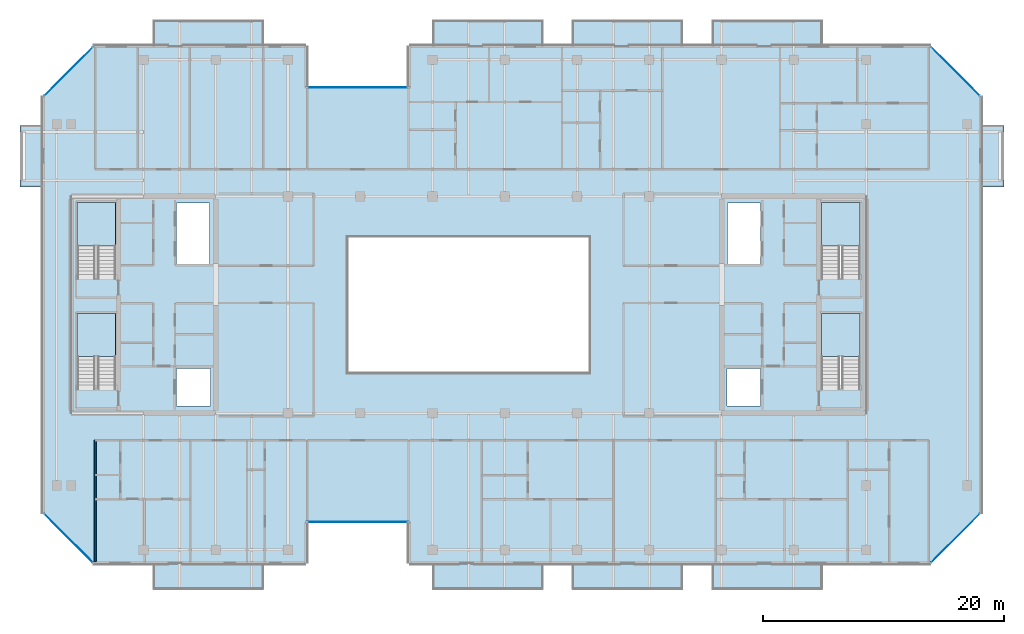
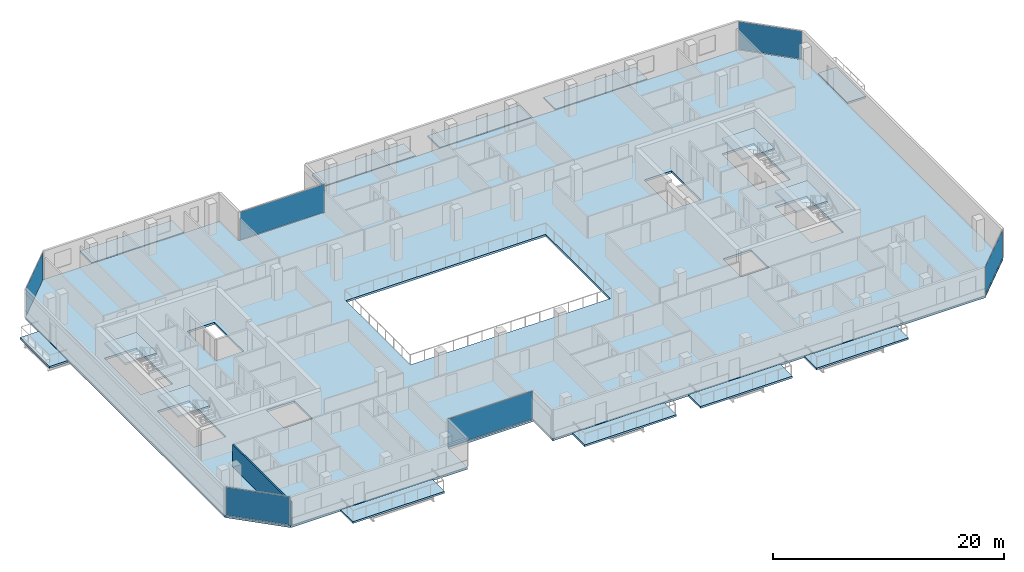
# One storey, part 17 of 28: 15 slabs, 6 plates, 1 wall, 10 elements without a shape of their own.
"""IFC4 building model written with IfcOpenShell, lengths in metres."""

from ifc_helpers import new_model, si_unit, direction, frame, frame_2d, origin, origin_2d, place, context, subcontext, project, spatial, polyline, rectangle, outline, extrude, material, layer, layer_set, type_object, element, aggregate, save


model = new_model("IFC4")

# Units and contexts
model_context = context("Model", 3, precision=1e-05, world=origin(), true_north=direction((0.0, 1.0)))
body_context = subcontext(model_context, "Body", "Model", "MODEL_VIEW")
ifc_project = project(units=[si_unit("LENGTHUNIT", "METRE"), si_unit("AREAUNIT", "SQUARE_METRE"), si_unit("VOLUMEUNIT", "CUBIC_METRE"), si_unit("PLANEANGLEUNIT", "RADIAN"), si_unit("MASSUNIT", "GRAM", prefix="KILO")], contexts=[model_context])

# Site, building, storey
site_placement = place(None, origin())
site = spatial("IfcSite", under=ifc_project, at=site_placement, CompositionType="ELEMENT")
building_placement = place(site_placement, origin())
building = spatial("IfcBuilding", under=site, at=building_placement, Name="Tanjung Sevakor Pilgrim Tower", CompositionType="ELEMENT")
storey_placement = place(building_placement, frame((0.0, 0.0, 185.1298828125)))
storey = spatial("IfcBuildingStorey", under=building, at=storey_placement, Name="L51", CompositionType="ELEMENT", Elevation=185.1298828125)

# Slabs
ifc_material_1 = material(Name="Concrete C40/50", Category="concrete")
ifc_layer_1 = layer(ifc_material_1, 0.199951171875)
ifc_layer_set_1 = layer_set([ifc_layer_1], Name="SL-BAL-200")
slab_type_1 = type_object("IfcSlabType", Name="SL-BAL-200", PredefinedType="FLOOR", material=ifc_layer_set_1)
slab_1_placement = place(storey_placement, frame((0.0, 0.0, -0.199951171875)))
element("IfcSlab", 1, at=slab_1_placement, inside=storey, type_object=slab_type_1, Name="L51 Planted Loggia Balcony MAIN-S1", PredefinedType="FLOOR", context=body_context, shape_type="SweptSolid", body=[
    extrude(outline(polyline([(30.800048828125, 9.949951171875), (40.0, 9.949951171875), (40.0, 12.050048828125), (30.800048828125, 12.050048828125), (30.800048828125, 9.949951171875)])), origin(), (0.0, 0.0, 1.0), 0.199951171875),
])
slab_2_placement = place(storey_placement, frame((0.0, 0.0, -0.199951171875)))
element("IfcSlab", 2, at=slab_2_placement, inside=storey, type_object=slab_type_1, Name="L51 Planted Loggia Balcony MAIN-N1", PredefinedType="FLOOR", context=body_context, shape_type="SweptSolid", body=[
    extrude(outline(polyline([(30.800048828125, 55.14990234375), (40.0, 55.14990234375), (40.0, 57.25), (30.800048828125, 57.25), (30.800048828125, 55.14990234375)])), origin(), (0.0, 0.0, 1.0), 0.199951171875),
])
slab_3_placement = place(storey_placement, frame((0.0, 0.0, -0.199951171875)))
element("IfcSlab", 3, at=slab_3_placement, inside=storey, type_object=slab_type_1, Name="L51 Planted Loggia Balcony MAIN-S2", PredefinedType="FLOOR", context=body_context, shape_type="SweptSolid", body=[
    extrude(outline(polyline([(54.0, 9.949951171875), (63.199951171875, 9.949951171875), (63.199951171875, 12.050048828125), (54.0, 12.050048828125), (54.0, 9.949951171875)])), origin(), (0.0, 0.0, 1.0), 0.199951171875),
])
slab_4_placement = place(storey_placement, frame((0.0, 0.0, -0.199951171875)))
element("IfcSlab", 4, at=slab_4_placement, inside=storey, type_object=slab_type_1, Name="L51 Planted Loggia Balcony MAIN-N2", PredefinedType="FLOOR", context=body_context, shape_type="SweptSolid", body=[
    extrude(outline(polyline([(54.0, 55.14990234375), (63.199951171875, 55.14990234375), (63.199951171875, 57.25), (54.0, 57.25), (54.0, 55.14990234375)])), origin(), (0.0, 0.0, 1.0), 0.199951171875),
])
slab_5_placement = place(storey_placement, frame((0.0, 0.0, -0.199951171875)))
element("IfcSlab", 5, at=slab_5_placement, inside=storey, type_object=slab_type_1, Name="L51 Planted Loggia Balcony MAIN-S3", PredefinedType="FLOOR", context=body_context, shape_type="SweptSolid", body=[
    extrude(outline(polyline([(65.60009765625, 9.949951171875), (74.800048828125, 9.949951171875), (74.800048828125, 12.050048828125), (65.60009765625, 12.050048828125), (65.60009765625, 9.949951171875)])), origin(), (0.0, 0.0, 1.0), 0.199951171875),
])
slab_6_placement = place(storey_placement, frame((0.0, 0.0, -0.199951171875)))
element("IfcSlab", 6, at=slab_6_placement, inside=storey, type_object=slab_type_1, Name="L51 Planted Loggia Balcony MAIN-N3", PredefinedType="FLOOR", context=body_context, shape_type="SweptSolid", body=[
    extrude(outline(polyline([(65.60009765625, 55.14990234375), (74.800048828125, 55.14990234375), (74.800048828125, 57.25), (65.60009765625, 57.25), (65.60009765625, 55.14990234375)])), origin(), (0.0, 0.0, 1.0), 0.199951171875),
])
slab_7_placement = place(storey_placement, frame((0.0, 0.0, -0.199951171875)))
element("IfcSlab", 7, at=slab_7_placement, inside=storey, type_object=slab_type_1, Name="L51 Planted Loggia Balcony MAIN-S4", PredefinedType="FLOOR", context=body_context, shape_type="SweptSolid", body=[
    extrude(outline(polyline([(77.199951171875, 9.949951171875), (86.39990234375, 9.949951171875), (86.39990234375, 12.050048828125), (77.199951171875, 12.050048828125), (77.199951171875, 9.949951171875)])), origin(), (0.0, 0.0, 1.0), 0.199951171875),
])
slab_8_placement = place(storey_placement, frame((0.0, 0.0, -0.199951171875)))
element("IfcSlab", 8, at=slab_8_placement, inside=storey, type_object=slab_type_1, Name="L51 Planted Loggia Balcony MAIN-N4", PredefinedType="FLOOR", context=body_context, shape_type="SweptSolid", body=[
    extrude(outline(polyline([(77.199951171875, 55.14990234375), (86.39990234375, 55.14990234375), (86.39990234375, 57.25), (77.199951171875, 57.25), (77.199951171875, 55.14990234375)])), origin(), (0.0, 0.0, 1.0), 0.199951171875),
])
slab_9_placement = place(storey_placement, frame((0.0, 0.0, -0.199951171875)))
element("IfcSlab", 9, at=slab_9_placement, inside=storey, type_object=slab_type_1, Name="L51 Planted Loggia Balcony MAIN-W1", PredefinedType="FLOOR", context=body_context, shape_type="SweptSolid", body=[
    extrude(outline(polyline([(19.75, 43.39990234375), (21.60009765625, 43.39990234375), (21.60009765625, 48.5), (19.75, 48.5), (19.75, 43.39990234375)])), origin(), (0.0, 0.0, 1.0), 0.199951171875),
])
slab_10_placement = place(storey_placement, frame((0.0, 0.0, -0.199951171875)))
element("IfcSlab", 10, at=slab_10_placement, inside=storey, type_object=slab_type_1, Name="L51 Planted Loggia Balcony MAIN-E1", PredefinedType="FLOOR", context=body_context, shape_type="SweptSolid", body=[
    extrude(outline(polyline([(99.60009765625, 43.39990234375), (101.449951171875, 43.39990234375), (101.449951171875, 48.5), (99.60009765625, 48.5), (99.60009765625, 43.39990234375)])), origin(), (0.0, 0.0, 1.0), 0.199951171875),
])

# Stair, slab
ifc_material_2 = material(Name="Concrete C40/50", Category="concrete")
stair_type = type_object("IfcStairType", Name="STAIR-ST-CR150", PredefinedType="HALF_TURN_STAIR", material=ifc_material_2)
stair_1_placement = place(storey_placement, origin())
stair_1 = element("IfcStair", 11, at=stair_1_placement, inside=storey, type_object=stair_type, Name="L51 West Core Exit Stair 1", PredefinedType="HALF_TURN_STAIR")
ifc_material_3 = material(Name="Concrete C40/50", Category="concrete")
ifc_layer_2 = layer(ifc_material_3, 0.199951171875)
ifc_layer_set_2 = layer_set([ifc_layer_2], Name="SL-LAND-200")
slab_type_2 = type_object("IfcSlabType", Name="SL-LAND-200", PredefinedType="LANDING", material=ifc_layer_set_2)
slab_11_placement = place(storey_placement, frame((0.0, 0.0, 1.4501953125)))
slab_11 = element("IfcSlab", 12, at=slab_11_placement, type_object=slab_type_2, Name="TS-W1 landing 1", PredefinedType="LANDING", context=body_context, shape_type="SweptSolid", body=[
    extrude(outline(polyline([(27.699951171875, 29.300048828125), (27.699951171875, 32.89990234375), (24.5, 32.89990234375), (24.5, 29.300048828125), (27.699951171875, 29.300048828125)])), origin(), (0.0, 0.0, 1.0), 0.199951171875),
])
aggregate(stair_1, [slab_11])

stair_2_placement = place(storey_placement, origin())
stair_2 = element("IfcStair", 13, at=stair_2_placement, inside=storey, type_object=stair_type, Name="L51 West Core Exit Stair 2", PredefinedType="HALF_TURN_STAIR")
slab_12_placement = place(storey_placement, frame((0.0, 0.0, 1.4501953125)))
slab_12 = element("IfcSlab", 14, at=slab_12_placement, type_object=slab_type_2, Name="TS-W2 landing 1", PredefinedType="LANDING", context=body_context, shape_type="SweptSolid", body=[
    extrude(outline(polyline([(27.699951171875, 38.5), (27.699951171875, 42.10009765625), (24.5, 42.10009765625), (24.5, 38.5), (27.699951171875, 38.5)])), origin(), (0.0, 0.0, 1.0), 0.199951171875),
])
aggregate(stair_2, [slab_12])

stair_3_placement = place(storey_placement, origin())
stair_3 = element("IfcStair", 15, at=stair_3_placement, inside=storey, type_object=stair_type, Name="L51 East Core Exit Stair 1", PredefinedType="HALF_TURN_STAIR")
slab_13_placement = place(storey_placement, frame((0.0, 0.0, 1.4501953125)))
slab_13 = element("IfcSlab", 16, at=slab_13_placement, type_object=slab_type_2, Name="TS-E1 landing 1", PredefinedType="LANDING", context=body_context, shape_type="SweptSolid", body=[
    extrude(outline(polyline([(89.5, 29.300048828125), (89.5, 32.89990234375), (86.300048828125, 32.89990234375), (86.300048828125, 29.300048828125), (89.5, 29.300048828125)])), origin(), (0.0, 0.0, 1.0), 0.199951171875),
])
aggregate(stair_3, [slab_13])

stair_4_placement = place(storey_placement, origin())
stair_4 = element("IfcStair", 17, at=stair_4_placement, inside=storey, type_object=stair_type, Name="L51 East Core Exit Stair 2", PredefinedType="HALF_TURN_STAIR")
slab_14_placement = place(storey_placement, frame((0.0, 0.0, 1.4501953125)))
slab_14 = element("IfcSlab", 18, at=slab_14_placement, type_object=slab_type_2, Name="TS-E2 landing 1", PredefinedType="LANDING", context=body_context, shape_type="SweptSolid", body=[
    extrude(outline(polyline([(89.5, 38.5), (89.5, 42.10009765625), (86.300048828125, 42.10009765625), (86.300048828125, 38.5), (89.5, 38.5)])), origin(), (0.0, 0.0, 1.0), 0.199951171875),
])
aggregate(stair_4, [slab_14])

# Slab
ifc_material_4 = material(Name="Concrete C40/50", Category="concrete")
ifc_layer_3 = layer(ifc_material_4, 0.219970703125)
ifc_layer_set_3 = layer_set([ifc_layer_3], Name="SL-TWR-220")
slab_type_3 = type_object("IfcSlabType", Name="SL-TWR-220", PredefinedType="FLOOR", material=ifc_layer_set_3)
slab_15_placement = place(storey_placement, frame((0.0, 0.0, -0.219970703125)))
element("IfcSlab", 19, at=slab_15_placement, inside=storey, type_object=slab_type_3, Name="L51 Floor Slab MAIN", PredefinedType="FLOOR", context=body_context, shape_type="SweptSolid", body=[
    extrude(outline(polyline([(25.846923828125, 12.1298828125), (43.52001953125, 12.1298828125), (43.52001953125, 15.530029296875), (52.080078125, 15.530029296875), (52.080078125, 12.1298828125), (95.35302734375, 12.1298828125), (99.52001953125, 16.296875), (99.52001953125, 50.903076171875), (95.35302734375, 55.070068359375), (52.080078125, 55.070068359375), (52.080078125, 51.669921875), (43.52001953125, 51.669921875), (43.52001953125, 55.070068359375), (25.846923828125, 55.070068359375), (21.679931640625, 50.903076171875), (21.679931640625, 16.296875), (25.846923828125, 12.1298828125)]), holes=[polyline([(27.699951171875, 26.60009765625), (27.699951171875, 32.89990234375), (24.5, 32.89990234375), (24.5, 26.60009765625), (27.699951171875, 26.60009765625)]), polyline([(27.699951171875, 35.800048828125), (27.699951171875, 42.10009765625), (24.5, 42.10009765625), (24.5, 35.800048828125), (27.699951171875, 35.800048828125)]), polyline([(89.5, 26.60009765625), (89.5, 32.89990234375), (86.300048828125, 32.89990234375), (86.300048828125, 26.60009765625), (89.5, 26.60009765625)]), polyline([(89.5, 35.800048828125), (89.5, 42.10009765625), (86.300048828125, 42.10009765625), (86.300048828125, 35.800048828125), (89.5, 35.800048828125)]), polyline([(32.75, 25.199951171875), (35.550048828125, 25.199951171875), (35.550048828125, 28.300048828125), (32.75, 28.300048828125), (32.75, 25.199951171875)]), polyline([(32.75, 37.0), (35.5, 37.0), (35.5, 42.050048828125), (32.75, 42.050048828125), (32.75, 37.0)]), polyline([(78.449951171875, 25.199951171875), (81.25, 25.199951171875), (81.25, 28.300048828125), (78.449951171875, 28.300048828125), (78.449951171875, 25.199951171875)]), polyline([(78.5, 37.0), (81.25, 37.0), (81.25, 42.050048828125), (78.5, 42.050048828125), (78.5, 37.0)]), polyline([(47.0, 28.0), (67.0, 28.0), (67.0, 39.199951171875), (47.0, 39.199951171875), (47.0, 28.0)])]), origin(), (0.0, 0.0, 1.0), 0.219970703125),
])

# Curtain wall, plate
ifc_material_5 = material(Name="Aluminium 6063-T6 and Low-E Glass", Category="aluminium")
ifc_layer_4 = layer(ifc_material_5, 0.179931640625)
ifc_layer_set_4 = layer_set([ifc_layer_4], Name="CW-SYS-CLEFT")
curtain_wall_type_1 = type_object("IfcCurtainWallType", Name="CW-SYS-CLEFT", PredefinedType="NOTDEFINED", material=ifc_layer_set_4)
curtain_wall_1_placement = place(storey_placement, origin())
curtain_wall_1 = element("IfcCurtainWall", 20, at=curtain_wall_1_placement, inside=storey, type_object=curtain_wall_type_1, Name="L51 Curtain Wall CW-CLF-L51-2", PredefinedType="NOTDEFINED")
ifc_material_6 = material(Name="Laminated Low-E Double Glazing", Category="glass")
ifc_layer_5 = layer(ifc_material_6, 0.028076171875)
ifc_layer_set_5 = layer_set([ifc_layer_5], Name="TYPE-CWP-GLZ1")
plate_type = type_object("IfcPlateType", Name="TYPE-CWP-GLZ1", PredefinedType="CURTAIN_PANEL", material=ifc_layer_set_5)
plate_1_placement = place(storey_placement, frame((47.800048828125, 15.56005859375, 0.06494140625), z_axis=(0.0, 0.0, 1.0), x_axis=(1.0, 0.0, 0.0)))
plate_1 = element("IfcPlate", 21, at=plate_1_placement, type_object=plate_type, Name="CW-CLF panel 1.1", PredefinedType="CURTAIN_PANEL", context=body_context, shape_type="SweptSolid", body=[
    extrude(rectangle(XDim=8.469970703125, YDim=0.028076171875, at=origin_2d()), origin(), (0.0, 0.0, 1.0), 2.949951171875),
])
aggregate(curtain_wall_1, [plate_1])

ifc_material_7 = material(Name="Aluminium 6063-T6 and Low-E Glass", Category="aluminium")
ifc_layer_6 = layer(ifc_material_7, 0.179931640625)
ifc_layer_set_6 = layer_set([ifc_layer_6], Name="CW-SYS-CHAM")
curtain_wall_type_2 = type_object("IfcCurtainWallType", Name="CW-SYS-CHAM", PredefinedType="NOTDEFINED", material=ifc_layer_set_6)
curtain_wall_2_placement = place(storey_placement, origin())
curtain_wall_2 = element("IfcCurtainWall", 22, at=curtain_wall_2_placement, inside=storey, type_object=curtain_wall_type_2, Name="L51 Curtain Wall CW-CHM-L51-MAIN-5", PredefinedType="NOTDEFINED")
plate_2_placement = place(storey_placement, frame((97.422119140625, 14.227783203125, 0.06494140625), z_axis=(0.0, 0.0, 1.0), x_axis=(0.707106781187, 0.707106781187, 0.0)))
plate_2 = element("IfcPlate", 23, at=plate_2_placement, type_object=plate_type, Name="CW-CHM panel 1.1", PredefinedType="CURTAIN_PANEL", context=body_context, shape_type="SweptSolid", body=[
    extrude(rectangle(XDim=5.718505859375, YDim=0.028076171875, at=origin_2d()), origin(), (0.0, 0.0, 1.0), 2.949951171875),
])
aggregate(curtain_wall_2, [plate_2])

curtain_wall_3_placement = place(storey_placement, origin())
curtain_wall_3 = element("IfcCurtainWall", 24, at=curtain_wall_3_placement, inside=storey, type_object=curtain_wall_type_2, Name="L51 Curtain Wall CW-CHM-L51-MAIN-7", PredefinedType="NOTDEFINED")
plate_3_placement = place(storey_placement, frame((97.422119140625, 52.97216796875, 0.06494140625), z_axis=(0.0, 0.0, 1.0), x_axis=(-0.707106781187, 0.707106781187, 0.0)))
plate_3 = element("IfcPlate", 25, at=plate_3_placement, type_object=plate_type, Name="CW-CHM panel 1.1", PredefinedType="CURTAIN_PANEL", context=body_context, shape_type="SweptSolid", body=[
    extrude(rectangle(XDim=5.718505859375, YDim=0.028076171875, at=origin_2d()), origin(), (0.0, 0.0, 1.0), 2.949951171875),
])
aggregate(curtain_wall_3, [plate_3])

curtain_wall_4_placement = place(storey_placement, origin())
curtain_wall_4 = element("IfcCurtainWall", 26, at=curtain_wall_4_placement, inside=storey, type_object=curtain_wall_type_1, Name="L51 Curtain Wall CW-CLF-L51-10", PredefinedType="NOTDEFINED")
plate_4_placement = place(storey_placement, frame((47.800048828125, 51.639892578125, 0.06494140625), z_axis=(0.0, 0.0, 1.0), x_axis=(-1.0, 0.0, 0.0)))
plate_4 = element("IfcPlate", 27, at=plate_4_placement, type_object=plate_type, Name="CW-CLF panel 1.1", PredefinedType="CURTAIN_PANEL", context=body_context, shape_type="SweptSolid", body=[
    extrude(rectangle(XDim=8.469970703125, YDim=0.028076171875, at=origin_2d()), origin(), (0.0, 0.0, 1.0), 2.949951171875),
])
aggregate(curtain_wall_4, [plate_4])

curtain_wall_5_placement = place(storey_placement, origin())
curtain_wall_5 = element("IfcCurtainWall", 28, at=curtain_wall_5_placement, inside=storey, type_object=curtain_wall_type_2, Name="L51 Curtain Wall CW-CHM-L51-MAIN-13", PredefinedType="NOTDEFINED")
plate_5_placement = place(storey_placement, frame((23.77783203125, 52.97216796875, 0.06494140625), z_axis=(0.0, 0.0, 1.0), x_axis=(-0.707106781187, -0.707106781187, 0.0)))
plate_5 = element("IfcPlate", 29, at=plate_5_placement, type_object=plate_type, Name="CW-CHM panel 1.1", PredefinedType="CURTAIN_PANEL", context=body_context, shape_type="SweptSolid", body=[
    extrude(rectangle(XDim=5.718505859375, YDim=0.028076171875, at=origin_2d()), origin(), (0.0, 0.0, 1.0), 2.949951171875),
])
aggregate(curtain_wall_5, [plate_5])

curtain_wall_6_placement = place(storey_placement, origin())
curtain_wall_6 = element("IfcCurtainWall", 30, at=curtain_wall_6_placement, inside=storey, type_object=curtain_wall_type_2, Name="L51 Curtain Wall CW-CHM-L51-MAIN-15", PredefinedType="NOTDEFINED")
plate_6_placement = place(storey_placement, frame((23.77783203125, 14.227783203125, 0.06494140625), z_axis=(0.0, 0.0, 1.0), x_axis=(0.707106781187, -0.707106781187, 0.0)))
plate_6 = element("IfcPlate", 31, at=plate_6_placement, type_object=plate_type, Name="CW-CHM panel 1.1", PredefinedType="CURTAIN_PANEL", context=body_context, shape_type="SweptSolid", body=[
    extrude(rectangle(XDim=5.718505859375, YDim=0.028076171875, at=origin_2d()), origin(), (0.0, 0.0, 1.0), 2.949951171875),
])
aggregate(curtain_wall_6, [plate_6])

# Wall
ifc_material_8 = material(Name="Concrete C40/50", Category="concrete")
ifc_layer_7 = layer(ifc_material_8, 0.14990234375)
ifc_layer_set_7 = layer_set([ifc_layer_7], Name="WT-COMP-150")
wall_type = type_object("IfcWallType", Name="WT-COMP-150", PredefinedType="SOLIDWALL", material=ifc_layer_set_7)
wall_placement = place(storey_placement, frame((26.0, 12.27001953125, 0.0), z_axis=(0.0, 0.0, 1.0), x_axis=(0.0, 1.0, 0.0)))
element("IfcWall", 32, at=wall_placement, inside=storey, type_object=wall_type, Name="L51 Partition IW-L51-045", PredefinedType="SOLIDWALL", context=body_context, shape_type="SweptSolid", body=[
    extrude(rectangle(XDim=10.080078125, YDim=0.14990234375, at=frame_2d((5.0400390625, 0.0))), origin(), (0.0, 0.0, 1.0), 2.35009765625),
])

save(model, "model.ifc")
